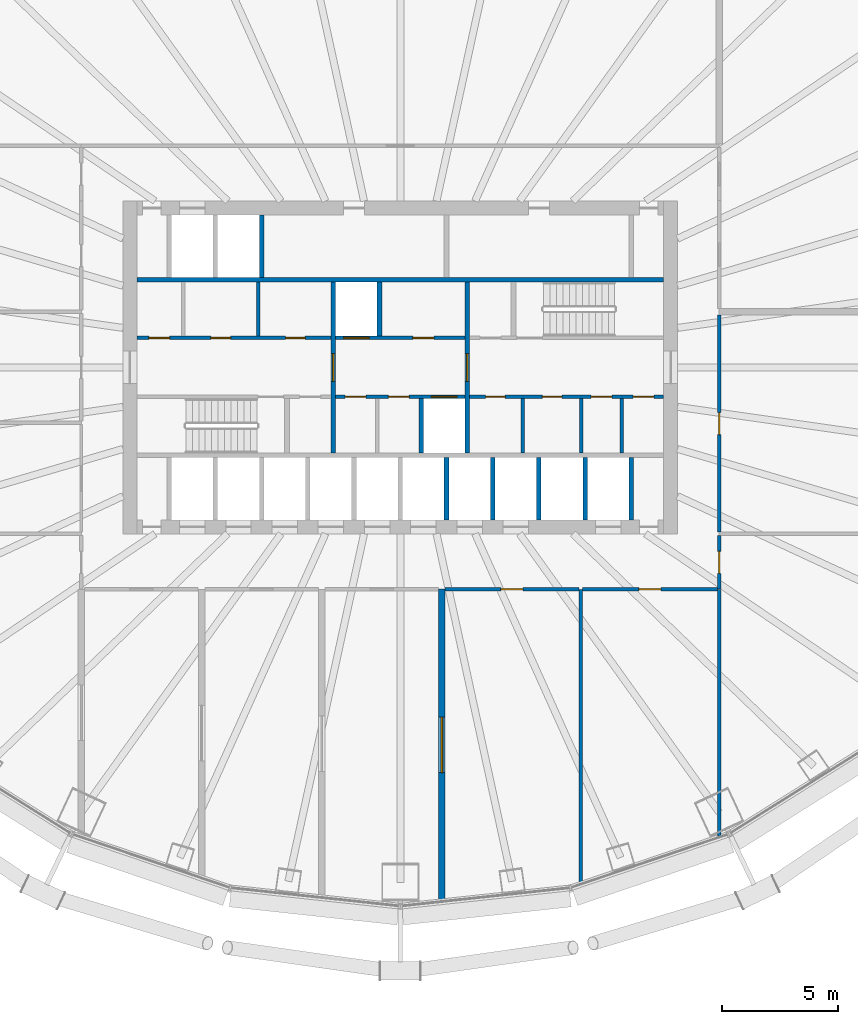
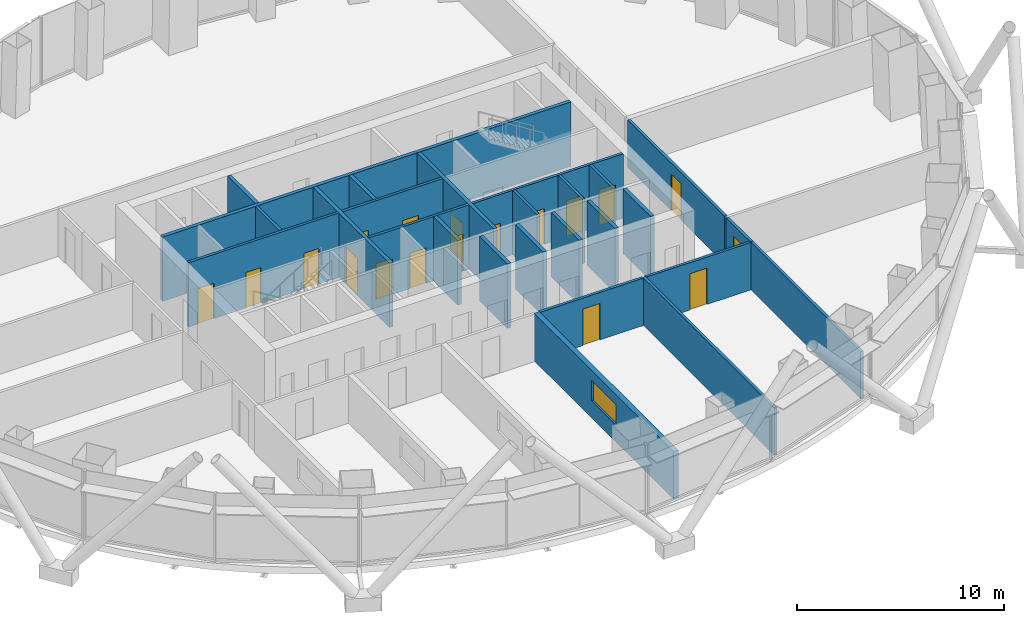
# One storey, part 8 of 16: 26 walls, 18 doors, 1 window, 19 openings.
"""IFC4 building model written with IfcOpenShell, lengths in metres."""

from ifc_helpers import new_model, si_unit, direction, frame, frame_2d, origin, place, context, subcontext, project, spatial, rectangle, extrude, material, layer, layer_set, type_object, element, fill, save


model = new_model("IFC4")

# Units and contexts
model_context = context("Model", 3, precision=1e-05, world=origin(), true_north=direction((0.0, 1.0)))
body_context = subcontext(model_context, "Body", "Model", "MODEL_VIEW")
ifc_project = project(units=[si_unit("LENGTHUNIT", "METRE"), si_unit("AREAUNIT", "SQUARE_METRE"), si_unit("VOLUMEUNIT", "CUBIC_METRE"), si_unit("PLANEANGLEUNIT", "RADIAN"), si_unit("MASSUNIT", "GRAM", prefix="KILO")], contexts=[model_context])

# Site, building, storey
site_placement = place(None, origin())
site = spatial("IfcSite", under=ifc_project, at=site_placement, CompositionType="ELEMENT")
building_placement = place(site_placement, origin())
building = spatial("IfcBuilding", under=site, at=building_placement, Name="Siaravel Broadcast Tower", CompositionType="ELEMENT")
storey_placement = place(building_placement, frame((0.0, 0.0, 28.699951171875)))
storey = spatial("IfcBuildingStorey", under=building, at=storey_placement, Name="L05", CompositionType="ELEMENT", Elevation=28.699951171875)

# Wall, opening, window
ifc_material_1 = material(Name="Double-leaf acoustic partition", Category="gypsum")
ifc_layer_1 = layer(ifc_material_1, 0.280029296875)
ifc_layer_set_1 = layer_set([ifc_layer_1], Name="Double-leaf acoustic partition")
wall_type_1 = type_object("IfcWallType", Name="Acoustic double-leaf wall 280", PredefinedType="PARTITIONING", material=ifc_layer_set_1)
wall_1_placement = place(storey_placement, frame((1.800048828125, -23.071533203125, 0.0), z_axis=(0.0, 0.0, 1.0), x_axis=(0.0, 1.0, 0.0)))
wall_1 = element("IfcWall", 1, at=wall_1_placement, inside=storey, type_object=wall_type_1, Name="L05 partition 5", PredefinedType="PARTITIONING", context=body_context, shape_type="SweptSolid", body=[
    extrude(rectangle(XDim=13.471435546875, YDim=0.280029296875, at=frame_2d((6.73583984375, 0.0))), origin(), (0.0, 0.0, 1.0), 2.800048828125),
])
opening_1_placement = place(wall_1_placement, frame((5.535888671875, 0.0, 1.0)))
opening_1 = element("IfcOpeningElement", 2, at=opening_1_placement, cuts=wall_1, Name="Opening L05-W01", PredefinedType="OPENING", context=body_context, shape_type="SweptSolid", body=[
    extrude(rectangle(XDim=2.39990234375, YDim=1.199951171875, at=frame_2d((1.199951171875, 0.60009765625))), frame((0.0, 0.14990234375, 0.0), z_axis=(0.0, -1.0, 0.0), x_axis=(1.0, 0.0, 0.0)), (0.0, 0.0, 1.0), 0.300048828125),
])
ifc_material_2 = material(Name="Laminated acoustic glass", Category="glass")
window_type = type_object("IfcWindowType", Name="Control room window 2400", PartitioningType="DOUBLE_PANEL_VERTICAL", PredefinedType="WINDOW", material=ifc_material_2)
window_placement = place(opening_1_placement, origin())
window = element("IfcWindow", 3, at=window_placement, inside=storey, type_object=window_type, Name="L05 observation window 1", OverallHeight=1.199951171875, OverallWidth=2.39990234375, PartitioningType="SINGLE_PANEL", PredefinedType="WINDOW", context=body_context, shape_type="SweptSolid", body=[
    extrude(rectangle(XDim=2.39990234375, YDim=1.199951171875, at=frame_2d((1.199951171875, 0.60009765625))), frame((0.0, 0.030029296875, 0.0), z_axis=(0.0, -1.0, 0.0), x_axis=(1.0, 0.0, 0.0)), (0.0, 0.0, 1.0), 0.06005859375),
])
fill(opening_1, window)

# Walls
ifc_material_3 = material(Name="Concrete blockwork", Category="masonry")
ifc_layer_2 = layer(ifc_material_3, 0.14990234375)
ifc_layer_set_2 = layer_set([ifc_layer_2], Name="Concrete blockwork")
wall_type_2 = type_object("IfcWallType", Name="Core partition 150", PredefinedType="PARTITIONING", material=ifc_layer_set_2)
for number, where, z_axis, x_axis, name in (
    (4, (-6.153076171875, 1.35009765625, 0.0), (0.0, 0.0, 1.0), (0.0, 1.0, 0.0), "L05 core partition PNW1"),
    (5, (5.301025390625, -3.699951171875, 0.0), (0.0, 0.0, 1.0), (0.0, 1.0, 0.0), "L05 core partition PSE0"),
    (6, (7.8359375, -3.699951171875, 0.0), (0.0, 0.0, 1.0), (0.0, 1.0, 0.0), "L05 core partition PSE1"),
    (7, (9.575927734375, -3.699951171875, 0.0), (0.0, 0.0, 1.0), (0.0, 1.0, 0.0), "L05 core partition PSE2"),
):
    element("IfcWall", number, at=place(storey_placement, frame(where, z_axis=z_axis, x_axis=x_axis)), inside=storey, type_object=wall_type_2, Name=name, PredefinedType="PARTITIONING", context=body_context, shape_type="SweptSolid", body=[
        extrude(rectangle(XDim=2.349853515625, YDim=0.14990234375, at=frame_2d((1.1748046875, 0.0))), origin(), (0.0, 0.0, 1.0), 3.800048828125),
    ])

# Wall, openings, doors
ifc_material_4 = material(Name="Gypsum board partition", Category="gypsum")
ifc_layer_3 = layer(ifc_material_4, 0.14990234375)
ifc_layer_set_3 = layer_set([ifc_layer_3], Name="Gypsum board partition")
wall_type_3 = type_object("IfcWallType", Name="Corridor wall 150", PredefinedType="PARTITIONING", material=ifc_layer_set_3)
wall_2_placement = place(storey_placement, frame((3.0, -1.27490234375, 0.0), z_axis=(0.0, 0.0, 1.0), x_axis=(1.0, 0.0, 0.0)))
wall_2 = element("IfcWall", 8, at=wall_2_placement, inside=storey, type_object=wall_type_3, Name="L05 core partition CSE", PredefinedType="PARTITIONING", context=body_context, shape_type="SweptSolid", body=[
    extrude(rectangle(XDim=8.39990234375, YDim=0.14990234375, at=frame_2d((4.199951171875, 0.0))), origin(), (0.0, 0.0, 1.0), 3.800048828125),
])
opening_2_placement = place(wall_2_placement, frame((0.68798828125, 0.0, 0.0)))
opening_2 = element("IfcOpeningElement", 9, at=opening_2_placement, cuts=wall_2, Name="Opening L05-DSE0", PredefinedType="OPENING", context=body_context, shape_type="SweptSolid", body=[
    extrude(rectangle(XDim=0.85009765625, YDim=2.10009765625, at=frame_2d((0.425048828125, 1.050048828125))), frame((0.0, 0.0849609375, 0.0), z_axis=(0.0, -1.0, 0.0), x_axis=(1.0, 0.0, 0.0)), (0.0, 0.0, 1.0), 0.169921875),
])
opening_3_placement = place(wall_2_placement, frame((3.1435546875, 0.0, 0.0)))
opening_3 = element("IfcOpeningElement", 10, at=opening_3_placement, cuts=wall_2, Name="Opening L05-DSE1", PredefinedType="OPENING", context=body_context, shape_type="SweptSolid", body=[
    extrude(rectangle(XDim=0.85009765625, YDim=2.10009765625, at=frame_2d((0.425048828125, 1.050048828125))), frame((0.0, 0.0849609375, 0.0), z_axis=(0.0, -1.0, 0.0), x_axis=(1.0, 0.0, 0.0)), (0.0, 0.0, 1.0), 0.169921875),
])
opening_4_placement = place(wall_2_placement, frame((5.256103515625, 0.0, 0.0)))
opening_4 = element("IfcOpeningElement", 11, at=opening_4_placement, cuts=wall_2, Name="Opening L05-DSE2", PredefinedType="OPENING", context=body_context, shape_type="SweptSolid", body=[
    extrude(rectangle(XDim=0.89990234375, YDim=2.10009765625, at=frame_2d((0.449951171875, 1.050048828125))), frame((0.0, 0.0849609375, 0.0), z_axis=(0.0, -1.0, 0.0), x_axis=(1.0, 0.0, 0.0)), (0.0, 0.0, 1.0), 0.169921875),
])
opening_5_placement = place(wall_2_placement, frame((7.075439453125, 0.0, 0.0)))
opening_5 = element("IfcOpeningElement", 12, at=opening_5_placement, cuts=wall_2, Name="Opening L05-DSE3", PredefinedType="OPENING", context=body_context, shape_type="SweptSolid", body=[
    extrude(rectangle(XDim=0.89990234375, YDim=2.10009765625, at=frame_2d((0.449951171875, 1.050048828125))), frame((0.0, 0.0849609375, 0.0), z_axis=(0.0, -1.0, 0.0), x_axis=(1.0, 0.0, 0.0)), (0.0, 0.0, 1.0), 0.169921875),
])
ifc_material_5 = material(Name="Timber veneer", Category="wood")
door_type_1 = type_object("IfcDoorType", Name="Core room door 900", OperationType="SINGLE_SWING_LEFT", PredefinedType="DOOR", material=ifc_material_5)
door_1_placement = place(opening_4_placement, origin())
door_1 = element("IfcDoor", 13, at=door_1_placement, inside=storey, type_object=door_type_1, Name="L05 door DSE2", OperationType="SINGLE_SWING_LEFT", OverallHeight=2.10009765625, OverallWidth=0.89990234375, PredefinedType="DOOR", context=body_context, shape_type="SweptSolid", body=[
    extrude(rectangle(XDim=0.89990234375, YDim=2.10009765625, at=frame_2d((0.449951171875, 1.050048828125))), frame((0.0, 0.02490234375, 0.0), z_axis=(0.0, -1.0, 0.0), x_axis=(1.0, 0.0, 0.0)), (0.0, 0.0, 1.0), 0.050048828125),
])
fill(opening_4, door_1)
door_2_placement = place(opening_5_placement, origin())
door_2 = element("IfcDoor", 14, at=door_2_placement, inside=storey, type_object=door_type_1, Name="L05 door DSE3", OperationType="SINGLE_SWING_LEFT", OverallHeight=2.10009765625, OverallWidth=0.89990234375, PredefinedType="DOOR", context=body_context, shape_type="SweptSolid", body=[
    extrude(rectangle(XDim=0.89990234375, YDim=2.10009765625, at=frame_2d((0.449951171875, 1.050048828125))), frame((0.0, 0.02490234375, 0.0), z_axis=(0.0, -1.0, 0.0), x_axis=(1.0, 0.0, 0.0)), (0.0, 0.0, 1.0), 0.050048828125),
])
fill(opening_5, door_2)
door_type_2 = type_object("IfcDoorType", Name="Core toilet door 850", OperationType="SINGLE_SWING_LEFT", PredefinedType="DOOR", material=ifc_material_5)
door_3_placement = place(opening_2_placement, origin())
door_3 = element("IfcDoor", 15, at=door_3_placement, inside=storey, type_object=door_type_2, Name="L05 door DSE0", OperationType="SINGLE_SWING_LEFT", OverallHeight=2.10009765625, OverallWidth=0.85009765625, PredefinedType="DOOR", context=body_context, shape_type="SweptSolid", body=[
    extrude(rectangle(XDim=0.85009765625, YDim=2.10009765625, at=frame_2d((0.425048828125, 1.050048828125))), frame((0.0, 0.02490234375, 0.0), z_axis=(0.0, -1.0, 0.0), x_axis=(1.0, 0.0, 0.0)), (0.0, 0.0, 1.0), 0.050048828125),
])
fill(opening_2, door_3)
door_4_placement = place(opening_3_placement, origin())
door_4 = element("IfcDoor", 16, at=door_4_placement, inside=storey, type_object=door_type_2, Name="L05 door DSE1", OperationType="SINGLE_SWING_LEFT", OverallHeight=2.10009765625, OverallWidth=0.85009765625, PredefinedType="DOOR", context=body_context, shape_type="SweptSolid", body=[
    extrude(rectangle(XDim=0.85009765625, YDim=2.10009765625, at=frame_2d((0.425048828125, 1.050048828125))), frame((0.0, 0.02490234375, 0.0), z_axis=(0.0, -1.0, 0.0), x_axis=(1.0, 0.0, 0.0)), (0.0, 0.0, 1.0), 0.050048828125),
])
fill(opening_3, door_4)

wall_3_placement = place(storey_placement, frame((-11.39990234375, 1.27490234375, 0.0), z_axis=(0.0, 0.0, 1.0), x_axis=(1.0, 0.0, 0.0)))
wall_3 = element("IfcWall", 17, at=wall_3_placement, inside=storey, type_object=wall_type_3, Name="L05 core partition CNW", PredefinedType="PARTITIONING", context=body_context, shape_type="SweptSolid", body=[
    extrude(rectangle(XDim=8.39990234375, YDim=0.14990234375, at=frame_2d((4.199951171875, 0.0))), origin(), (0.0, 0.0, 1.0), 3.800048828125),
])
opening_6_placement = place(wall_3_placement, frame((0.52197265625, 0.0, 0.0)))
opening_6 = element("IfcOpeningElement", 18, at=opening_6_placement, cuts=wall_3, Name="Opening L05-DNW0", PredefinedType="OPENING", context=body_context, shape_type="SweptSolid", body=[
    extrude(rectangle(XDim=0.89990234375, YDim=2.10009765625, at=frame_2d((0.449951171875, 1.050048828125))), frame((0.0, 0.0849609375, 0.0), z_axis=(0.0, -1.0, 0.0), x_axis=(1.0, 0.0, 0.0)), (0.0, 0.0, 1.0), 0.169921875),
])
opening_7_placement = place(wall_3_placement, frame((3.2080078125, 0.0, 0.0)))
opening_7 = element("IfcOpeningElement", 19, at=opening_7_placement, cuts=wall_3, Name="Opening L05-DNW1", PredefinedType="OPENING", context=body_context, shape_type="SweptSolid", body=[
    extrude(rectangle(XDim=0.85009765625, YDim=2.10009765625, at=frame_2d((0.425048828125, 1.050048828125))), frame((0.0, 0.0849609375, 0.0), z_axis=(0.0, -1.0, 0.0), x_axis=(1.0, 0.0, 0.0)), (0.0, 0.0, 1.0), 0.169921875),
])
opening_8_placement = place(wall_3_placement, frame((6.43603515625, 0.0, 0.0)))
opening_8 = element("IfcOpeningElement", 20, at=opening_8_placement, cuts=wall_3, Name="Opening L05-DNW2", PredefinedType="OPENING", context=body_context, shape_type="SweptSolid", body=[
    extrude(rectangle(XDim=0.85009765625, YDim=2.10009765625, at=frame_2d((0.425048828125, 1.050048828125))), frame((0.0, 0.0849609375, 0.0), z_axis=(0.0, -1.0, 0.0), x_axis=(1.0, 0.0, 0.0)), (0.0, 0.0, 1.0), 0.169921875),
])
door_5_placement = place(opening_6_placement, origin())
door_5 = element("IfcDoor", 21, at=door_5_placement, inside=storey, type_object=door_type_1, Name="L05 door DNW0", OperationType="SINGLE_SWING_LEFT", OverallHeight=2.10009765625, OverallWidth=0.89990234375, PredefinedType="DOOR", context=body_context, shape_type="SweptSolid", body=[
    extrude(rectangle(XDim=0.89990234375, YDim=2.10009765625, at=frame_2d((0.449951171875, 1.050048828125))), frame((0.0, 0.02490234375, 0.0), z_axis=(0.0, -1.0, 0.0), x_axis=(1.0, 0.0, 0.0)), (0.0, 0.0, 1.0), 0.050048828125),
])
fill(opening_6, door_5)
door_6_placement = place(opening_7_placement, origin())
door_6 = element("IfcDoor", 22, at=door_6_placement, inside=storey, type_object=door_type_2, Name="L05 door DNW1", OperationType="SINGLE_SWING_LEFT", OverallHeight=2.10009765625, OverallWidth=0.85009765625, PredefinedType="DOOR", context=body_context, shape_type="SweptSolid", body=[
    extrude(rectangle(XDim=0.85009765625, YDim=2.10009765625, at=frame_2d((0.425048828125, 1.050048828125))), frame((0.0, 0.02490234375, 0.0), z_axis=(0.0, -1.0, 0.0), x_axis=(1.0, 0.0, 0.0)), (0.0, 0.0, 1.0), 0.050048828125),
])
fill(opening_7, door_6)
door_7_placement = place(opening_8_placement, origin())
door_7 = element("IfcDoor", 23, at=door_7_placement, inside=storey, type_object=door_type_2, Name="L05 door DNW2", OperationType="SINGLE_SWING_LEFT", OverallHeight=2.10009765625, OverallWidth=0.85009765625, PredefinedType="DOOR", context=body_context, shape_type="SweptSolid", body=[
    extrude(rectangle(XDim=0.85009765625, YDim=2.10009765625, at=frame_2d((0.425048828125, 1.050048828125))), frame((0.0, 0.02490234375, 0.0), z_axis=(0.0, -1.0, 0.0), x_axis=(1.0, 0.0, 0.0)), (0.0, 0.0, 1.0), 0.050048828125),
])
fill(opening_8, door_7)

# Wall, opening, door
wall_4_placement = place(storey_placement, frame((13.800048828125, -7.123046875, 0.0), z_axis=(0.0, 0.0, 1.0), x_axis=(0.0, 1.0, 0.0)))
wall_4 = element("IfcWall", 24, at=wall_4_placement, inside=storey, type_object=wall_type_3, Name="L05 partition 15", PredefinedType="PARTITIONING", context=body_context, shape_type="SweptSolid", body=[
    extrude(rectangle(XDim=9.381103515625, YDim=0.14990234375, at=frame_2d((4.6904296875, 0.0))), origin(), (0.0, 0.0, 1.0), 2.800048828125),
])
opening_9_placement = place(wall_4_placement, frame((4.215576171875, 0.0, 0.0)))
opening_9 = element("IfcOpeningElement", 25, at=opening_9_placement, cuts=wall_4, Name="Opening L05-008", PredefinedType="OPENING", context=body_context, shape_type="SweptSolid", body=[
    extrude(rectangle(XDim=0.949951171875, YDim=2.14990234375, at=frame_2d((0.47509765625, 1.074951171875))), frame((0.0, 0.0849609375, 0.0), z_axis=(0.0, -1.0, 0.0), x_axis=(1.0, 0.0, 0.0)), (0.0, 0.0, 1.0), 0.169921875),
])
door_type_3 = type_object("IfcDoorType", Name="Office door 950", OperationType="SINGLE_SWING_LEFT", PredefinedType="DOOR", material=ifc_material_5)
door_8_placement = place(opening_9_placement, origin())
door_8 = element("IfcDoor", 26, at=door_8_placement, inside=storey, type_object=door_type_3, Name="L05 door to Graphics studio", OperationType="SINGLE_SWING_RIGHT", OverallHeight=2.14990234375, OverallWidth=0.949951171875, PredefinedType="DOOR", context=body_context, shape_type="SweptSolid", body=[
    extrude(rectangle(XDim=0.949951171875, YDim=2.14990234375, at=frame_2d((0.47509765625, 1.074951171875))), frame((0.0, 0.02490234375, 0.0), z_axis=(0.0, -1.0, 0.0), x_axis=(1.0, 0.0, 0.0)), (0.0, 0.0, 1.0), 0.050048828125),
])
fill(opening_9, door_8)

wall_5_placement = place(storey_placement, frame((7.876953125, -9.60009765625, 0.0), z_axis=(0.0, 0.0, 1.0), x_axis=(1.0, 0.0, 0.0)))
wall_5 = element("IfcWall", 27, at=wall_5_placement, inside=storey, type_object=wall_type_3, Name="L05 partition 16", PredefinedType="PARTITIONING", context=body_context, shape_type="SweptSolid", body=[
    extrude(rectangle(XDim=5.845947265625, YDim=0.14990234375, at=frame_2d((2.9228515625, 0.0))), origin(), (0.0, 0.0, 1.0), 2.800048828125),
])
opening_10_placement = place(wall_5_placement, frame((2.447998046875, 0.0, 0.0)))
opening_10 = element("IfcOpeningElement", 28, at=opening_10_placement, cuts=wall_5, Name="Opening L05-015", PredefinedType="OPENING", context=body_context, shape_type="SweptSolid", body=[
    extrude(rectangle(XDim=0.949951171875, YDim=2.14990234375, at=frame_2d((0.47509765625, 1.074951171875))), frame((0.0, 0.0849609375, 0.0), z_axis=(0.0, -1.0, 0.0), x_axis=(1.0, 0.0, 0.0)), (0.0, 0.0, 1.0), 0.169921875),
])
door_9_placement = place(opening_10_placement, origin())
door_9 = element("IfcDoor", 29, at=door_9_placement, inside=storey, type_object=door_type_3, Name="L05 door to Production office", OperationType="SINGLE_SWING_LEFT", OverallHeight=2.14990234375, OverallWidth=0.949951171875, PredefinedType="DOOR", context=body_context, shape_type="SweptSolid", body=[
    extrude(rectangle(XDim=0.949951171875, YDim=2.14990234375, at=frame_2d((0.47509765625, 1.074951171875))), frame((0.0, 0.02490234375, 0.0), z_axis=(0.0, -1.0, 0.0), x_axis=(1.0, 0.0, 0.0)), (0.0, 0.0, 1.0), 0.050048828125),
])
fill(opening_10, door_9)

wall_6_placement = place(storey_placement, frame((1.94189453125, -9.60009765625, 0.0), z_axis=(0.0, 0.0, 1.0), x_axis=(1.0, 0.0, 0.0)))
wall_6 = element("IfcWall", 30, at=wall_6_placement, inside=storey, type_object=wall_type_3, Name="L05 partition 17", PredefinedType="PARTITIONING", context=body_context, shape_type="SweptSolid", body=[
    extrude(rectangle(XDim=5.781005859375, YDim=0.14990234375, at=frame_2d((2.890625, 0.0))), origin(), (0.0, 0.0, 1.0), 2.800048828125),
])
opening_11_placement = place(wall_6_placement, frame((2.41552734375, 0.0, 0.0)))
opening_11 = element("IfcOpeningElement", 31, at=opening_11_placement, cuts=wall_6, Name="Opening L05-014", PredefinedType="OPENING", context=body_context, shape_type="SweptSolid", body=[
    extrude(rectangle(XDim=0.949951171875, YDim=2.14990234375, at=frame_2d((0.47509765625, 1.074951171875))), frame((0.0, 0.0849609375, 0.0), z_axis=(0.0, -1.0, 0.0), x_axis=(1.0, 0.0, 0.0)), (0.0, 0.0, 1.0), 0.169921875),
])
door_10_placement = place(opening_11_placement, origin())
door_10 = element("IfcDoor", 32, at=door_10_placement, inside=storey, type_object=door_type_3, Name="L05 door to Production office", OperationType="SINGLE_SWING_RIGHT", OverallHeight=2.14990234375, OverallWidth=0.949951171875, PredefinedType="DOOR", context=body_context, shape_type="SweptSolid", body=[
    extrude(rectangle(XDim=0.949951171875, YDim=2.14990234375, at=frame_2d((0.47509765625, 1.074951171875))), frame((0.0, 0.02490234375, 0.0), z_axis=(0.0, -1.0, 0.0), x_axis=(1.0, 0.0, 0.0)), (0.0, 0.0, 1.0), 0.050048828125),
])
fill(opening_11, door_10)

wall_7_placement = place(storey_placement, frame((13.800048828125, -9.59912109375, 0.0), z_axis=(0.0, 0.0, 1.0), x_axis=(0.0, 1.0, 0.0)))
wall_7 = element("IfcWall", 33, at=wall_7_placement, inside=storey, type_object=wall_type_3, Name="L05 partition 27", PredefinedType="PARTITIONING", context=body_context, shape_type="SweptSolid", body=[
    extrude(rectangle(XDim=2.322021484375, YDim=0.14990234375, at=frame_2d((1.1611328125, 0.0))), origin(), (0.0, 0.0, 1.0), 2.800048828125),
])
opening_12_placement = place(wall_7_placement, frame((0.68603515625, 0.0, 0.0)))
opening_12 = element("IfcOpeningElement", 34, at=opening_12_placement, cuts=wall_7, Name="Opening L05-007", PredefinedType="OPENING", context=body_context, shape_type="SweptSolid", body=[
    extrude(rectangle(XDim=0.949951171875, YDim=2.14990234375, at=frame_2d((0.47509765625, 1.074951171875))), frame((0.0, 0.0849609375, 0.0), z_axis=(0.0, -1.0, 0.0), x_axis=(1.0, 0.0, 0.0)), (0.0, 0.0, 1.0), 0.169921875),
])
door_11_placement = place(opening_12_placement, origin())
door_11 = element("IfcDoor", 35, at=door_11_placement, inside=storey, type_object=door_type_3, Name="L05 door to Graphics studio", OperationType="SINGLE_SWING_LEFT", OverallHeight=2.14990234375, OverallWidth=0.949951171875, PredefinedType="DOOR", context=body_context, shape_type="SweptSolid", body=[
    extrude(rectangle(XDim=0.949951171875, YDim=2.14990234375, at=frame_2d((0.47509765625, 1.074951171875))), frame((0.0, 0.02490234375, 0.0), z_axis=(0.0, -1.0, 0.0), x_axis=(1.0, 0.0, 0.0)), (0.0, 0.0, 1.0), 0.050048828125),
])
fill(opening_12, door_11)

# Walls
ifc_layer_4 = layer(ifc_material_4, 0.14990234375)
ifc_layer_set_4 = layer_set([ifc_layer_4], Name="Gypsum board partition")
wall_type_4 = type_object("IfcWallType", Name="Room partition 150", PredefinedType="PARTITIONING", material=ifc_layer_set_4)
wall_8_placement = place(storey_placement, frame((7.800048828125, -22.3232421875, 0.0), z_axis=(0.0, 0.0, 1.0), x_axis=(0.0, 1.0, 0.0)))
element("IfcWall", 36, at=wall_8_placement, inside=storey, type_object=wall_type_4, Name="L05 partition 9", PredefinedType="PARTITIONING", context=body_context, shape_type="SweptSolid", body=[
    extrude(rectangle(XDim=12.72314453125, YDim=0.14990234375, at=frame_2d((6.361572265625, 0.0))), origin(), (0.0, 0.0, 1.0), 2.800048828125),
])
wall_9_placement = place(storey_placement, frame((13.800048828125, -9.60009765625, 0.0), z_axis=(0.0, 0.0, 1.0), x_axis=(0.0, -1.0, 0.0)))
element("IfcWall", 37, at=wall_9_placement, inside=storey, type_object=wall_type_4, Name="L05 partition 14", PredefinedType="PARTITIONING", context=body_context, shape_type="SweptSolid", body=[
    extrude(rectangle(XDim=10.6875, YDim=0.14990234375, at=frame_2d((5.34375, 0.0))), origin(), (0.0, 0.0, 1.0), 2.800048828125),
])

# Wall, openings, doors
ifc_material_6 = material(Name="Concrete C60/75", Category="concrete")
ifc_layer_5 = layer(ifc_material_6, 0.14990234375)
ifc_layer_set_5 = layer_set([ifc_layer_5], Name="Concrete C60/75")
wall_type_5 = type_object("IfcWallType", Name="Shaft wall 150", PredefinedType="SHEAR", material=ifc_layer_set_5)
wall_10_placement = place(storey_placement, frame((-2.800048828125, -1.27490234375, 0.0), z_axis=(0.0, 0.0, 1.0), x_axis=(1.0, 0.0, 0.0)))
wall_10 = element("IfcWall", 38, at=wall_10_placement, inside=storey, type_object=wall_type_5, Name="L05 core wall CSM", PredefinedType="SHEAR", context=body_context, shape_type="SweptSolid", body=[
    extrude(rectangle(XDim=5.60009765625, YDim=0.14990234375, at=frame_2d((2.800048828125, 0.0))), origin(), (0.0, 0.0, 1.0), 3.800048828125),
])
opening_13_placement = place(wall_10_placement, frame((4.14990234375, 0.0, 0.0)))
opening_13 = element("IfcOpeningElement", 39, at=opening_13_placement, cuts=wall_10, Name="Opening LD-FL2-L05", PredefinedType="OPENING", context=body_context, shape_type="SweptSolid", body=[
    extrude(rectangle(XDim=1.10009765625, YDim=2.199951171875, at=frame_2d((0.550048828125, 1.10009765625))), frame((0.0, 0.0849609375, 0.0), z_axis=(0.0, -1.0, 0.0), x_axis=(1.0, 0.0, 0.0)), (0.0, 0.0, 1.0), 0.169921875),
])
opening_14_placement = place(wall_10_placement, frame((0.41259765625, 0.0, 0.0)))
opening_14 = element("IfcOpeningElement", 40, at=opening_14_placement, cuts=wall_10, Name="Opening L05-DSM0", PredefinedType="OPENING", context=body_context, shape_type="SweptSolid", body=[
    extrude(rectangle(XDim=0.89990234375, YDim=2.10009765625, at=frame_2d((0.449951171875, 1.050048828125))), frame((0.0, 0.0849609375, 0.0), z_axis=(0.0, -1.0, 0.0), x_axis=(1.0, 0.0, 0.0)), (0.0, 0.0, 1.0), 0.169921875),
])
opening_15_placement = place(wall_10_placement, frame((2.28759765625, 0.0, 0.0)))
opening_15 = element("IfcOpeningElement", 41, at=opening_15_placement, cuts=wall_10, Name="Opening L05-DSM1", PredefinedType="OPENING", context=body_context, shape_type="SweptSolid", body=[
    extrude(rectangle(XDim=0.89990234375, YDim=2.10009765625, at=frame_2d((0.449951171875, 1.050048828125))), frame((0.0, 0.0849609375, 0.0), z_axis=(0.0, -1.0, 0.0), x_axis=(1.0, 0.0, 0.0)), (0.0, 0.0, 1.0), 0.169921875),
])
door_12_placement = place(opening_14_placement, origin())
door_12 = element("IfcDoor", 42, at=door_12_placement, inside=storey, type_object=door_type_1, Name="L05 door DSM0", OperationType="SINGLE_SWING_LEFT", OverallHeight=2.10009765625, OverallWidth=0.89990234375, PredefinedType="DOOR", context=body_context, shape_type="SweptSolid", body=[
    extrude(rectangle(XDim=0.89990234375, YDim=2.10009765625, at=frame_2d((0.449951171875, 1.050048828125))), frame((0.0, 0.02490234375, 0.0), z_axis=(0.0, -1.0, 0.0), x_axis=(1.0, 0.0, 0.0)), (0.0, 0.0, 1.0), 0.050048828125),
])
fill(opening_14, door_12)
door_13_placement = place(opening_15_placement, origin())
door_13 = element("IfcDoor", 43, at=door_13_placement, inside=storey, type_object=door_type_1, Name="L05 door DSM1", OperationType="SINGLE_SWING_LEFT", OverallHeight=2.10009765625, OverallWidth=0.89990234375, PredefinedType="DOOR", context=body_context, shape_type="SweptSolid", body=[
    extrude(rectangle(XDim=0.89990234375, YDim=2.10009765625, at=frame_2d((0.449951171875, 1.050048828125))), frame((0.0, 0.02490234375, 0.0), z_axis=(0.0, -1.0, 0.0), x_axis=(1.0, 0.0, 0.0)), (0.0, 0.0, 1.0), 0.050048828125),
])
fill(opening_15, door_13)
ifc_material_7 = material(Name="Stainless steel 316L", Category="steel")
door_type_4 = type_object("IfcDoorType", Name="Firefighting lift landing door 1100", OperationType="DOUBLE_DOOR_SLIDING", PredefinedType="DOOR", material=ifc_material_7)
door_14_placement = place(opening_13_placement, origin())
door_14 = element("IfcDoor", 44, at=door_14_placement, inside=storey, type_object=door_type_4, Name="Landing door FL2 L05", OperationType="DOUBLE_DOOR_SLIDING", OverallHeight=2.199951171875, OverallWidth=1.10009765625, PredefinedType="DOOR", context=body_context, shape_type="SweptSolid", body=[
    extrude(rectangle(XDim=1.10009765625, YDim=2.199951171875, at=frame_2d((0.550048828125, 1.10009765625))), frame((0.0, 0.02490234375, 0.0), z_axis=(0.0, -1.0, 0.0), x_axis=(1.0, 0.0, 0.0)), (0.0, 0.0, 1.0), 0.050048828125),
])
fill(opening_13, door_14)

wall_11_placement = place(storey_placement, frame((-2.800048828125, 1.27490234375, 0.0), z_axis=(0.0, 0.0, 1.0), x_axis=(1.0, 0.0, 0.0)))
wall_11 = element("IfcWall", 45, at=wall_11_placement, inside=storey, type_object=wall_type_5, Name="L05 core wall CNM", PredefinedType="SHEAR", context=body_context, shape_type="SweptSolid", body=[
    extrude(rectangle(XDim=5.60009765625, YDim=0.14990234375, at=frame_2d((2.800048828125, 0.0))), origin(), (0.0, 0.0, 1.0), 3.800048828125),
])
opening_16_placement = place(wall_11_placement, frame((0.35009765625, 0.0, 0.0)))
opening_16 = element("IfcOpeningElement", 46, at=opening_16_placement, cuts=wall_11, Name="Opening LD-FL1-L05", PredefinedType="OPENING", context=body_context, shape_type="SweptSolid", body=[
    extrude(rectangle(XDim=1.10009765625, YDim=2.199951171875, at=frame_2d((0.550048828125, 1.10009765625))), frame((0.0, 0.0849609375, 0.0), z_axis=(0.0, -1.0, 0.0), x_axis=(1.0, 0.0, 0.0)), (0.0, 0.0, 1.0), 0.169921875),
])
opening_17_placement = place(wall_11_placement, frame((3.35009765625, 0.0, 0.0)))
opening_17 = element("IfcOpeningElement", 47, at=opening_17_placement, cuts=wall_11, Name="Opening L05-DNM0", PredefinedType="OPENING", context=body_context, shape_type="SweptSolid", body=[
    extrude(rectangle(XDim=0.89990234375, YDim=2.10009765625, at=frame_2d((0.449951171875, 1.050048828125))), frame((0.0, 0.0849609375, 0.0), z_axis=(0.0, -1.0, 0.0), x_axis=(1.0, 0.0, 0.0)), (0.0, 0.0, 1.0), 0.169921875),
])
door_15_placement = place(opening_17_placement, origin())
door_15 = element("IfcDoor", 48, at=door_15_placement, inside=storey, type_object=door_type_1, Name="L05 door DNM0", OperationType="SINGLE_SWING_LEFT", OverallHeight=2.10009765625, OverallWidth=0.89990234375, PredefinedType="DOOR", context=body_context, shape_type="SweptSolid", body=[
    extrude(rectangle(XDim=0.89990234375, YDim=2.10009765625, at=frame_2d((0.449951171875, 1.050048828125))), frame((0.0, 0.02490234375, 0.0), z_axis=(0.0, -1.0, 0.0), x_axis=(1.0, 0.0, 0.0)), (0.0, 0.0, 1.0), 0.050048828125),
])
fill(opening_17, door_15)
door_16_placement = place(opening_16_placement, origin())
door_16 = element("IfcDoor", 49, at=door_16_placement, inside=storey, type_object=door_type_4, Name="Landing door FL1 L05", OperationType="DOUBLE_DOOR_SLIDING", OverallHeight=2.199951171875, OverallWidth=1.10009765625, PredefinedType="DOOR", context=body_context, shape_type="SweptSolid", body=[
    extrude(rectangle(XDim=1.10009765625, YDim=2.199951171875, at=frame_2d((0.550048828125, 1.10009765625))), frame((0.0, 0.02490234375, 0.0), z_axis=(0.0, -1.0, 0.0), x_axis=(1.0, 0.0, 0.0)), (0.0, 0.0, 1.0), 0.050048828125),
])
fill(opening_16, door_16)

# Walls
ifc_layer_6 = layer(ifc_material_6, 0.199951171875)
ifc_layer_set_6 = layer_set([ifc_layer_6], Name="Concrete C60/75")
wall_type_6 = type_object("IfcWallType", Name="Shaft wall 200", PredefinedType="SHEAR", material=ifc_layer_set_6)
wall_12_placement = place(storey_placement, frame((-11.39990234375, 3.800048828125, 0.0), z_axis=(0.0, 0.0, 1.0), x_axis=(1.0, 0.0, 0.0)))
element("IfcWall", 50, at=wall_12_placement, inside=storey, type_object=wall_type_6, Name="L05 core wall BN", PredefinedType="SHEAR", context=body_context, shape_type="SweptSolid", body=[
    extrude(rectangle(XDim=22.7998046875, YDim=0.199951171875, at=frame_2d((11.39990234375, 0.0))), origin(), (0.0, 0.0, 1.0), 3.800048828125),
])
for number, where, z_axis, x_axis, name in (
    (51, (2.0, -6.60009765625, 0.0), (0.0, 0.0, 1.0), (0.0, 1.0, 0.0), "L05 core wall SWS6"),
    (52, (4.0, -6.60009765625, 0.0), (0.0, 0.0, 1.0), (0.0, 1.0, 0.0), "L05 core wall SWS7"),
    (53, (6.0, -6.60009765625, 0.0), (0.0, 0.0, 1.0), (0.0, 1.0, 0.0), "L05 core wall SWS8"),
    (54, (8.0, -6.60009765625, 0.0), (0.0, 0.0, 1.0), (0.0, 1.0, 0.0), "L05 core wall SWS9"),
    (55, (10.0, -6.60009765625, 0.0), (0.0, 0.0, 1.0), (0.0, 1.0, 0.0), "L05 core wall SWS10"),
    (56, (-6.0, 3.89990234375, 0.0), (0.0, 0.0, 1.0), (0.0, 1.0, 0.0), "L05 core wall SWN2"),
):
    element("IfcWall", number, at=place(storey_placement, frame(where, z_axis=z_axis, x_axis=x_axis)), inside=storey, type_object=wall_type_6, Name=name, PredefinedType="SHEAR", context=body_context, shape_type="SweptSolid", body=[
        extrude(rectangle(XDim=2.7001953125, YDim=0.199951171875, at=frame_2d((1.35009765625, 0.0))), origin(), (0.0, 0.0, 1.0), 3.800048828125),
    ])

# Wall, opening, door
wall_13_placement = place(storey_placement, frame((-2.89990234375, -3.699951171875, 0.0), z_axis=(0.0, 0.0, 1.0), x_axis=(0.0, 1.0, 0.0)))
wall_13 = element("IfcWall", 57, at=wall_13_placement, inside=storey, type_object=wall_type_6, Name="L05 core wall LW", PredefinedType="SHEAR", context=body_context, shape_type="SweptSolid", body=[
    extrude(rectangle(XDim=7.39990234375, YDim=0.199951171875, at=frame_2d((3.699951171875, 0.0))), origin(), (0.0, 0.0, 1.0), 3.800048828125),
])
opening_18_placement = place(wall_13_placement, frame((3.10009765625, 0.0, 0.0)))
opening_18 = element("IfcOpeningElement", 58, at=opening_18_placement, cuts=wall_13, Name="Opening L05-DL-W", PredefinedType="OPENING", context=body_context, shape_type="SweptSolid", body=[
    extrude(rectangle(XDim=1.199951171875, YDim=2.199951171875, at=frame_2d((0.60009765625, 1.10009765625))), frame((0.0, 0.10986328125, 0.0), z_axis=(0.0, -1.0, 0.0), x_axis=(1.0, 0.0, 0.0)), (0.0, 0.0, 1.0), 0.219970703125),
])
ifc_material_8 = material(Name="Steel", Category="steel")
door_type_5 = type_object("IfcDoorType", Name="Firefighting lobby door 1200", OperationType="SINGLE_SWING_LEFT", PredefinedType="DOOR", material=ifc_material_8)
door_17_placement = place(opening_18_placement, origin())
door_17 = element("IfcDoor", 59, at=door_17_placement, inside=storey, type_object=door_type_5, Name="L05 door DL-W", OperationType="SINGLE_SWING_LEFT", OverallHeight=2.199951171875, OverallWidth=1.199951171875, PredefinedType="DOOR", context=body_context, shape_type="SweptSolid", body=[
    extrude(rectangle(XDim=1.199951171875, YDim=2.199951171875, at=frame_2d((0.60009765625, 1.10009765625))), frame((0.0, 0.02490234375, 0.0), z_axis=(0.0, -1.0, 0.0), x_axis=(1.0, 0.0, 0.0)), (0.0, 0.0, 1.0), 0.050048828125),
])
fill(opening_18, door_17)

wall_14_placement = place(storey_placement, frame((2.89990234375, -3.699951171875, 0.0), z_axis=(0.0, 0.0, 1.0), x_axis=(0.0, 1.0, 0.0)))
wall_14 = element("IfcWall", 60, at=wall_14_placement, inside=storey, type_object=wall_type_6, Name="L05 core wall LE", PredefinedType="SHEAR", context=body_context, shape_type="SweptSolid", body=[
    extrude(rectangle(XDim=7.39990234375, YDim=0.199951171875, at=frame_2d((3.699951171875, 0.0))), origin(), (0.0, 0.0, 1.0), 3.800048828125),
])
opening_19_placement = place(wall_14_placement, frame((3.10009765625, 0.0, 0.0)))
opening_19 = element("IfcOpeningElement", 61, at=opening_19_placement, cuts=wall_14, Name="Opening L05-DL-E", PredefinedType="OPENING", context=body_context, shape_type="SweptSolid", body=[
    extrude(rectangle(XDim=1.199951171875, YDim=2.199951171875, at=frame_2d((0.60009765625, 1.10009765625))), frame((0.0, 0.10986328125, 0.0), z_axis=(0.0, -1.0, 0.0), x_axis=(1.0, 0.0, 0.0)), (0.0, 0.0, 1.0), 0.219970703125),
])
door_18_placement = place(opening_19_placement, origin())
door_18 = element("IfcDoor", 62, at=door_18_placement, inside=storey, type_object=door_type_5, Name="L05 door DL-E", OperationType="SINGLE_SWING_LEFT", OverallHeight=2.199951171875, OverallWidth=1.199951171875, PredefinedType="DOOR", context=body_context, shape_type="SweptSolid", body=[
    extrude(rectangle(XDim=1.199951171875, YDim=2.199951171875, at=frame_2d((0.60009765625, 1.10009765625))), frame((0.0, 0.02490234375, 0.0), z_axis=(0.0, -1.0, 0.0), x_axis=(1.0, 0.0, 0.0)), (0.0, 0.0, 1.0), 0.050048828125),
])
fill(opening_19, door_18)

# Walls
for number, where, z_axis, x_axis, name in (
    (63, (-0.89990234375, 1.35009765625, 0.0), (0.0, 0.0, 1.0), (0.0, 1.0, 0.0), "L05 core wall FF1E"),
    (64, (0.89990234375, -3.699951171875, 0.0), (0.0, 0.0, 1.0), (0.0, 1.0, 0.0), "L05 core wall FF2W"),
):
    element("IfcWall", number, at=place(storey_placement, frame(where, z_axis=z_axis, x_axis=x_axis)), inside=storey, type_object=wall_type_6, Name=name, PredefinedType="SHEAR", context=body_context, shape_type="SweptSolid", body=[
        extrude(rectangle(XDim=2.349853515625, YDim=0.199951171875, at=frame_2d((1.1748046875, 0.0))), origin(), (0.0, 0.0, 1.0), 3.800048828125),
    ])

save(model, "model.ifc")
